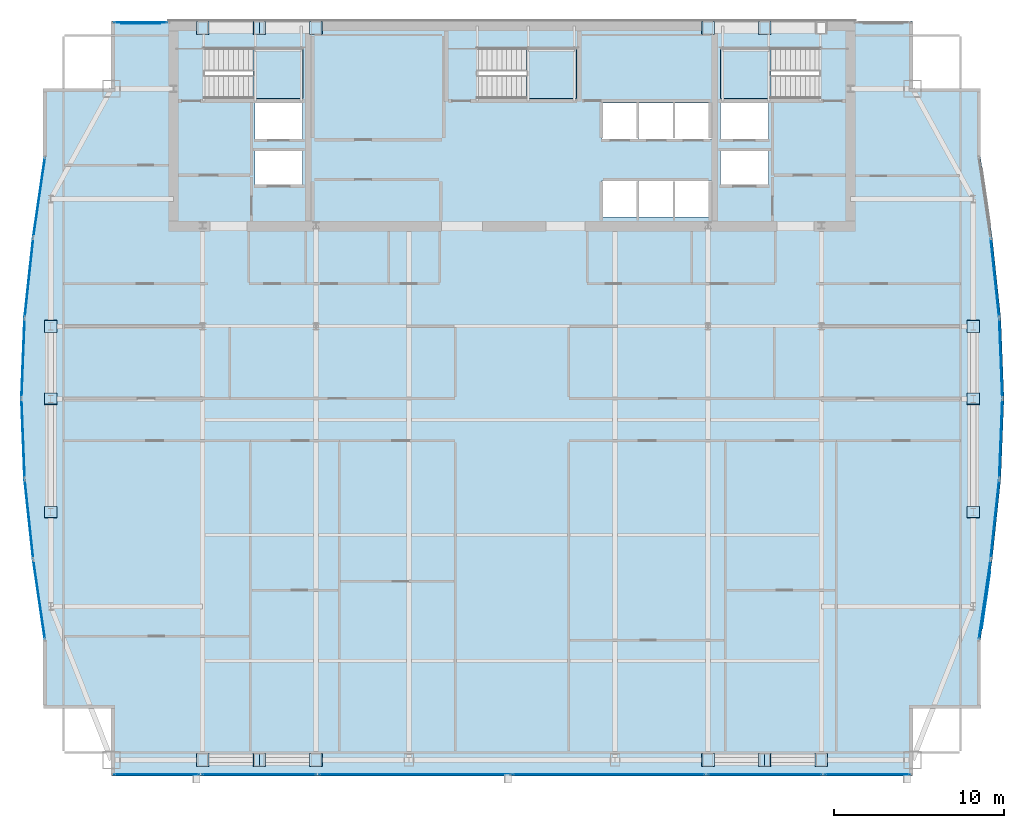
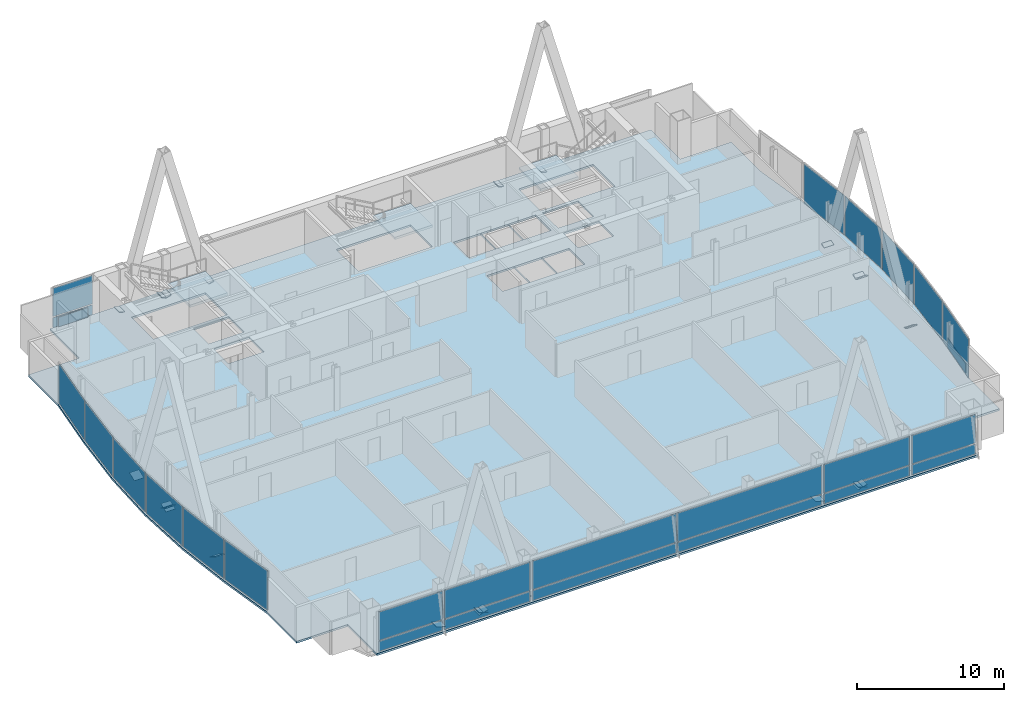
# One storey, part 25 of 31: 49 plates, 4 slabs, 20 elements without a shape of their own.
"""IFC4 building model written with IfcOpenShell, lengths in metres."""

from ifc_helpers import new_model, si_unit, direction, frame, origin, origin_2d, place, context, subcontext, project, spatial, polyline, rectangle, outline, extrude, material, layer, layer_set, type_object, element, aggregate, save


model = new_model("IFC4")

# Units and contexts
model_context = context("Model", 3, precision=1e-05, world=origin(), true_north=direction((0.0, 1.0)))
body_context = subcontext(model_context, "Body", "Model", "MODEL_VIEW")
ifc_project = project(units=[si_unit("LENGTHUNIT", "METRE"), si_unit("AREAUNIT", "SQUARE_METRE"), si_unit("VOLUMEUNIT", "CUBIC_METRE"), si_unit("PLANEANGLEUNIT", "RADIAN"), si_unit("MASSUNIT", "GRAM", prefix="KILO")], contexts=[model_context])

# Site, building, storey
site_placement = place(None, origin())
site = spatial("IfcSite", under=ifc_project, at=site_placement, CompositionType="ELEMENT")
building_placement = place(site_placement, origin())
building = spatial("IfcBuilding", under=site, at=building_placement, Name="Khoronbel Lancet Exchange", CompositionType="ELEMENT")
storey_placement = place(building_placement, frame((0.0, 0.0, 249.800048828125)))
storey = spatial("IfcBuildingStorey", under=building, at=storey_placement, Name="L64", CompositionType="ELEMENT", Elevation=249.800048828125)

# Curtain wall, plate
ifc_material_1 = material(Name="Low-E Solar Control Insulating Glass", Category="glass")
curtain_wall_type_1 = type_object("IfcCurtainWallType", Name="CW-4", PredefinedType="NOTDEFINED", material=ifc_material_1)
curtain_wall_1_placement = place(storey_placement, origin())
curtain_wall_1 = element("IfcCurtainWall", 1, at=curtain_wall_1_placement, inside=storey, type_object=curtain_wall_type_1, Name="Unitised curtain wall CW-L64-E05", PredefinedType="NOTDEFINED")
ifc_material_2 = material(Name="Bronze-Anodised Aluminium 6063-T6", Category="aluminium")
ifc_layer_1 = layer(ifc_material_2, 0.050048828125, Name="Bronze-Anodised Aluminium 6063-T6")
ifc_layer_set_1 = layer_set([ifc_layer_1], Name="Bronze-Anodised Aluminium 6063-T6")
plate_type_1 = type_object("IfcPlateType", Name="PLT-CSP1", PredefinedType="SHEET", material=ifc_layer_set_1)
plate_1_placement = place(storey_placement, frame((7.990234375, 24.333984375, 0.0849609375), z_axis=(0.0, 0.0, 1.0), x_axis=(-0.106507228834, 0.994311928022, 0.0)))
plate_1 = element("IfcPlate", 2, at=plate_1_placement, type_object=plate_type_1, Name="CW4 panel 1.1", PredefinedType="CURTAIN_PANEL", context=body_context, shape_type="SweptSolid", body=[
    extrude(rectangle(XDim=4.62255859375, YDim=0.0380859375, at=origin_2d()), origin(), (0.0, 0.0, 1.0), 3.27001953125),
])
aggregate(curtain_wall_1, [plate_1])

curtain_wall_2_placement = place(storey_placement, origin())
curtain_wall_2 = element("IfcCurtainWall", 3, at=curtain_wall_2_placement, inside=storey, type_object=curtain_wall_type_1, Name="Unitised curtain wall CW-L64-E06", PredefinedType="NOTDEFINED")
plate_2_placement = place(storey_placement, frame((7.64306640625, 29.078369140625, 0.0849609375), z_axis=(0.0, 0.0, 1.0), x_axis=(-0.039161233927, 0.999232904661, 0.0)))
plate_2 = element("IfcPlate", 4, at=plate_2_placement, type_object=plate_type_1, Name="CW4 panel 1.1", PredefinedType="CURTAIN_PANEL", context=body_context, shape_type="SweptSolid", body=[
    extrude(rectangle(XDim=4.596923828125, YDim=0.0380859375, at=origin_2d()), origin(), (0.0, 0.0, 1.0), 3.27001953125),
])
aggregate(curtain_wall_2, [plate_2])

curtain_wall_3_placement = place(storey_placement, origin())
curtain_wall_3 = element("IfcCurtainWall", 5, at=curtain_wall_3_placement, inside=storey, type_object=curtain_wall_type_1, Name="Unitised curtain wall CW-L64-E07", PredefinedType="NOTDEFINED")
plate_3_placement = place(storey_placement, frame((7.64306640625, 33.82177734375, 0.0849609375), z_axis=(0.0, 0.0, 1.0), x_axis=(0.039161233927, 0.999232904661, 0.0)))
plate_3 = element("IfcPlate", 6, at=plate_3_placement, type_object=plate_type_1, Name="CW4 panel 1.1", PredefinedType="CURTAIN_PANEL", context=body_context, shape_type="SweptSolid", body=[
    extrude(rectangle(XDim=4.596923828125, YDim=0.0380859375, at=origin_2d()), origin(), (0.0, 0.0, 1.0), 3.27001953125),
])
aggregate(curtain_wall_3, [plate_3])

curtain_wall_4_placement = place(storey_placement, origin())
curtain_wall_4 = element("IfcCurtainWall", 7, at=curtain_wall_4_placement, inside=storey, type_object=curtain_wall_type_1, Name="Unitised curtain wall CW-L64-E08", PredefinedType="NOTDEFINED")
plate_4_placement = place(storey_placement, frame((7.990234375, 38.566162109375, 0.0849609375), z_axis=(0.0, 0.0, 1.0), x_axis=(0.106507228834, 0.994311928022, 0.0)))
plate_4 = element("IfcPlate", 8, at=plate_4_placement, type_object=plate_type_1, Name="CW4 panel 1.1", PredefinedType="CURTAIN_PANEL", context=body_context, shape_type="SweptSolid", body=[
    extrude(rectangle(XDim=4.62255859375, YDim=0.0380859375, at=origin_2d()), origin(), (0.0, 0.0, 1.0), 3.27001953125),
])
aggregate(curtain_wall_4, [plate_4])

curtain_wall_type_2 = type_object("IfcCurtainWallType", Name="CW-3", PredefinedType="NOTDEFINED", material=ifc_material_1)
curtain_wall_5_placement = place(storey_placement, origin())
curtain_wall_5 = element("IfcCurtainWall", 9, at=curtain_wall_5_placement, inside=storey, type_object=curtain_wall_type_2, Name="Unitised curtain wall CW-L64-NWFLK", PredefinedType="NOTDEFINED")
plate_5_placement = place(storey_placement, frame((14.580078125, 53.550048828125, 0.0498046875), z_axis=(0.0, 0.0, 1.0), x_axis=(-1.0, 0.0, 0.0)))
plate_5 = element("IfcPlate", 10, at=plate_5_placement, type_object=plate_type_1, Name="Insulated bronze spandrel cassette CW-L64-NWFLK", PredefinedType="SHEET", context=body_context, shape_type="SweptSolid", body=[
    extrude(rectangle(XDim=2.2958984375, YDim=0.050048828125, at=origin_2d()), origin(), (0.0, 0.0, 1.0), 0.800048828125),
])

curtain_wall_6_placement = place(storey_placement, origin())
curtain_wall_6 = element("IfcCurtainWall", 11, at=curtain_wall_6_placement, inside=storey, type_object=curtain_wall_type_1, Name="Unitised curtain wall CW-L64-E18", PredefinedType="NOTDEFINED")
plate_6_placement = place(storey_placement, frame((64.90966796875, 38.566162109375, 0.0849609375), z_axis=(0.0, 0.0, 1.0), x_axis=(0.106507228834, -0.994311928022, 0.0)))
plate_6 = element("IfcPlate", 12, at=plate_6_placement, type_object=plate_type_1, Name="CW4 panel 1.1", PredefinedType="CURTAIN_PANEL", context=body_context, shape_type="SweptSolid", body=[
    extrude(rectangle(XDim=4.62255859375, YDim=0.0380859375, at=origin_2d()), origin(), (0.0, 0.0, 1.0), 3.27001953125),
])
aggregate(curtain_wall_6, [plate_6])

curtain_wall_7_placement = place(storey_placement, origin())
curtain_wall_7 = element("IfcCurtainWall", 13, at=curtain_wall_7_placement, inside=storey, type_object=curtain_wall_type_1, Name="Unitised curtain wall CW-L64-E19", PredefinedType="NOTDEFINED")
plate_7_placement = place(storey_placement, frame((65.2568359375, 33.82177734375, 0.0849609375), z_axis=(0.0, 0.0, 1.0), x_axis=(0.039161233927, -0.999232904661, 0.0)))
plate_7 = element("IfcPlate", 14, at=plate_7_placement, type_object=plate_type_1, Name="CW4 panel 1.1", PredefinedType="CURTAIN_PANEL", context=body_context, shape_type="SweptSolid", body=[
    extrude(rectangle(XDim=4.596923828125, YDim=0.0380859375, at=origin_2d()), origin(), (0.0, 0.0, 1.0), 3.27001953125),
])
aggregate(curtain_wall_7, [plate_7])

curtain_wall_8_placement = place(storey_placement, origin())
curtain_wall_8 = element("IfcCurtainWall", 15, at=curtain_wall_8_placement, inside=storey, type_object=curtain_wall_type_1, Name="Unitised curtain wall CW-L64-E20", PredefinedType="NOTDEFINED")
plate_8_placement = place(storey_placement, frame((65.2568359375, 29.078369140625, 0.0849609375), z_axis=(0.0, 0.0, 1.0), x_axis=(-0.039161233927, -0.999232904661, 0.0)))
plate_8 = element("IfcPlate", 16, at=plate_8_placement, type_object=plate_type_1, Name="CW4 panel 1.1", PredefinedType="CURTAIN_PANEL", context=body_context, shape_type="SweptSolid", body=[
    extrude(rectangle(XDim=4.596923828125, YDim=0.0380859375, at=origin_2d()), origin(), (0.0, 0.0, 1.0), 3.27001953125),
])
aggregate(curtain_wall_8, [plate_8])

curtain_wall_9_placement = place(storey_placement, origin())
curtain_wall_9 = element("IfcCurtainWall", 17, at=curtain_wall_9_placement, inside=storey, type_object=curtain_wall_type_1, Name="Unitised curtain wall CW-L64-E21", PredefinedType="NOTDEFINED")
plate_9_placement = place(storey_placement, frame((64.90966796875, 24.333984375, 0.0849609375), z_axis=(0.0, 0.0, 1.0), x_axis=(-0.106507228834, -0.994311928022, 0.0)))
plate_9 = element("IfcPlate", 18, at=plate_9_placement, type_object=plate_type_1, Name="CW4 panel 1.1", PredefinedType="CURTAIN_PANEL", context=body_context, shape_type="SweptSolid", body=[
    extrude(rectangle(XDim=4.62255859375, YDim=0.0380859375, at=origin_2d()), origin(), (0.0, 0.0, 1.0), 3.27001953125),
])
aggregate(curtain_wall_9, [plate_9])

curtain_wall_10_placement = place(storey_placement, origin())
curtain_wall_10 = element("IfcCurtainWall", 19, at=curtain_wall_10_placement, inside=storey, type_object=curtain_wall_type_1, Name="Unitised curtain wall CW-L64-E22", PredefinedType="NOTDEFINED")
plate_10_placement = place(storey_placement, frame((64.3671875, 19.5751953125, 0.0498046875), z_axis=(0.0, 0.0, 1.0), x_axis=(-0.144753463694, -0.989467753264, 0.0)))
plate_10 = element("IfcPlate", 20, at=plate_10_placement, type_object=plate_type_1, Name="Insulated bronze spandrel cassette CW-L64-E22", PredefinedType="SHEET", context=body_context, shape_type="SweptSolid", body=[
    extrude(rectangle(XDim=3.36376953125, YDim=0.050048828125, at=origin_2d()), origin(), (0.0, 0.0, 1.0), 0.800048828125),
])

# Curtain wall, plates
curtain_wall_11_placement = place(storey_placement, origin())
curtain_wall_11 = element("IfcCurtainWall", 21, at=curtain_wall_11_placement, inside=storey, type_object=curtain_wall_type_2, Name="Unitised curtain wall CW-L64-SWB", PredefinedType="NOTDEFINED")
plate_11_placement = place(storey_placement, frame((21.550048828125, 9.2900390625, 0.0849609375), z_axis=(0.0, 0.0, 1.0), x_axis=(1.0, 0.0, 0.0)))
plate_11 = element("IfcPlate", 22, at=plate_11_placement, type_object=plate_type_1, Name="CW3 panel 1.1", PredefinedType="CURTAIN_PANEL", context=body_context, shape_type="SweptSolid", body=[
    extrude(rectangle(XDim=6.72998046875, YDim=0.0380859375, at=origin_2d()), origin(), (0.0, 0.0, 1.0), 0.822509765625),
])
plate_12_placement = place(storey_placement, frame((21.550048828125, 9.2900390625, 0.9921875), z_axis=(0.0, 0.0, 1.0), x_axis=(1.0, 0.0, 0.0)))
plate_12 = element("IfcPlate", 23, at=plate_12_placement, type_object=plate_type_1, Name="CW3 panel 1.2", PredefinedType="CURTAIN_PANEL", context=body_context, shape_type="SweptSolid", body=[
    extrude(rectangle(XDim=6.72998046875, YDim=0.0380859375, at=origin_2d()), origin(), (0.0, 0.0, 1.0), 2.362548828125),
])
aggregate(curtain_wall_11, [plate_11, plate_12])

curtain_wall_12_placement = place(storey_placement, origin())
curtain_wall_12 = element("IfcCurtainWall", 24, at=curtain_wall_12_placement, inside=storey, type_object=curtain_wall_type_2, Name="Unitised curtain wall CW-L64-SEB", PredefinedType="NOTDEFINED")
plate_13_placement = place(storey_placement, frame((51.35009765625, 9.2900390625, 0.0849609375), z_axis=(0.0, 0.0, 1.0), x_axis=(1.0, 0.0, 0.0)))
plate_13 = element("IfcPlate", 25, at=plate_13_placement, type_object=plate_type_1, Name="CW3 panel 1.1", PredefinedType="CURTAIN_PANEL", context=body_context, shape_type="SweptSolid", body=[
    extrude(rectangle(XDim=6.72998046875, YDim=0.0380859375, at=origin_2d()), origin(), (0.0, 0.0, 1.0), 0.822509765625),
])
plate_14_placement = place(storey_placement, frame((51.35009765625, 9.2900390625, 0.9921875), z_axis=(0.0, 0.0, 1.0), x_axis=(1.0, 0.0, 0.0)))
plate_14 = element("IfcPlate", 26, at=plate_14_placement, type_object=plate_type_1, Name="CW3 panel 1.2", PredefinedType="CURTAIN_PANEL", context=body_context, shape_type="SweptSolid", body=[
    extrude(rectangle(XDim=6.72998046875, YDim=0.0380859375, at=origin_2d()), origin(), (0.0, 0.0, 1.0), 2.362548828125),
])
aggregate(curtain_wall_12, [plate_13, plate_14])

# Plate
ifc_layer_2 = layer(ifc_material_1, 0.035888671875, Name="Low-E Solar Control Insulating Glass")
ifc_layer_set_2 = layer_set([ifc_layer_2], Name="Low-E Solar Control Insulating Glass")
plate_type_2 = type_object("IfcPlateType", Name="PLT-CWP1", PredefinedType="CURTAIN_PANEL", material=ifc_layer_set_2)
plate_15_placement = place(storey_placement, frame((14.580078125, 53.610107421875, 0.0849609375), z_axis=(0.0, 0.0, 1.0), x_axis=(-1.0, 0.0, 0.0)))
plate_15 = element("IfcPlate", 27, at=plate_15_placement, type_object=plate_type_2, Name="CW3 panel 1.1", PredefinedType="CURTAIN_PANEL", context=body_context, shape_type="SweptSolid", body=[
    extrude(rectangle(XDim=3.110107421875, YDim=0.0380859375, at=origin_2d()), origin(), (0.0, 0.0, 1.0), 0.822509765625),
])

plate_16_placement = place(storey_placement, frame((14.580078125, 53.610107421875, 0.9921875), z_axis=(0.0, 0.0, 1.0), x_axis=(-1.0, 0.0, 0.0)))
plate_16 = element("IfcPlate", 28, at=plate_16_placement, type_object=plate_type_2, Name="CW3 panel 1.2", PredefinedType="CURTAIN_PANEL", context=body_context, shape_type="SweptSolid", body=[
    extrude(rectangle(XDim=3.110107421875, YDim=0.0380859375, at=origin_2d()), origin(), (0.0, 0.0, 1.0), 2.362548828125),
])

aggregate(curtain_wall_5, [plate_15, plate_16, plate_5])

# Curtain wall, plates
curtain_wall_13_placement = place(storey_placement, origin())
curtain_wall_13 = element("IfcCurtainWall", 29, at=curtain_wall_13_placement, inside=storey, type_object=curtain_wall_type_2, Name="Unitised curtain wall CW-L64-SWV", PredefinedType="NOTDEFINED")
plate_17_placement = place(storey_placement, frame((15.52001953125, 9.2900390625, 0.0849609375), z_axis=(0.0, 0.0, 1.0), x_axis=(1.0, 0.0, 0.0)))
plate_17 = element("IfcPlate", 30, at=plate_17_placement, type_object=plate_type_2, Name="CW3 panel 1.1", PredefinedType="CURTAIN_PANEL", context=body_context, shape_type="SweptSolid", body=[
    extrude(rectangle(XDim=4.989990234375, YDim=0.0380859375, at=origin_2d()), origin(), (0.0, 0.0, 1.0), 0.822509765625),
])
plate_18_placement = place(storey_placement, frame((15.52001953125, 9.2900390625, 0.9921875), z_axis=(0.0, 0.0, 1.0), x_axis=(1.0, 0.0, 0.0)))
plate_18 = element("IfcPlate", 31, at=plate_18_placement, type_object=plate_type_2, Name="CW3 panel 1.2", PredefinedType="CURTAIN_PANEL", context=body_context, shape_type="SweptSolid", body=[
    extrude(rectangle(XDim=4.989990234375, YDim=0.0380859375, at=origin_2d()), origin(), (0.0, 0.0, 1.0), 2.362548828125),
])
aggregate(curtain_wall_13, [plate_17, plate_18])

curtain_wall_14_placement = place(storey_placement, origin())
curtain_wall_14 = element("IfcCurtainWall", 32, at=curtain_wall_14_placement, inside=storey, type_object=curtain_wall_type_2, Name="Unitised curtain wall CW-L64-SCV", PredefinedType="NOTDEFINED")
plate_19_placement = place(storey_placement, frame((30.746337890625, 9.2900390625, 0.0849609375), z_axis=(0.0, 0.0, 1.0), x_axis=(1.0, 0.0, 0.0)))
plate_19 = element("IfcPlate", 33, at=plate_19_placement, type_object=plate_type_2, Name="CW3 panel 1.1", PredefinedType="CURTAIN_PANEL", context=body_context, shape_type="SweptSolid", body=[
    extrude(rectangle(XDim=11.322509765625, YDim=0.0380859375, at=origin_2d()), origin(), (0.0, 0.0, 1.0), 0.822509765625),
])
plate_20_placement = place(storey_placement, frame((30.746337890625, 9.2900390625, 0.9921875), z_axis=(0.0, 0.0, 1.0), x_axis=(1.0, 0.0, 0.0)))
plate_20 = element("IfcPlate", 34, at=plate_20_placement, type_object=plate_type_2, Name="CW3 panel 1.2", PredefinedType="CURTAIN_PANEL", context=body_context, shape_type="SweptSolid", body=[
    extrude(rectangle(XDim=11.322509765625, YDim=0.0380859375, at=origin_2d()), origin(), (0.0, 0.0, 1.0), 2.362548828125),
])
plate_21_placement = place(storey_placement, frame((42.15380859375, 9.2900390625, 0.0849609375), z_axis=(0.0, 0.0, 1.0), x_axis=(1.0, 0.0, 0.0)))
plate_21 = element("IfcPlate", 35, at=plate_21_placement, type_object=plate_type_2, Name="CW3 panel 2.1", PredefinedType="CURTAIN_PANEL", context=body_context, shape_type="SweptSolid", body=[
    extrude(rectangle(XDim=11.322509765625, YDim=0.0380859375, at=origin_2d()), origin(), (0.0, 0.0, 1.0), 0.822509765625),
])
plate_22_placement = place(storey_placement, frame((42.15380859375, 9.2900390625, 0.9921875), z_axis=(0.0, 0.0, 1.0), x_axis=(1.0, 0.0, 0.0)))
plate_22 = element("IfcPlate", 36, at=plate_22_placement, type_object=plate_type_2, Name="CW3 panel 2.2", PredefinedType="CURTAIN_PANEL", context=body_context, shape_type="SweptSolid", body=[
    extrude(rectangle(XDim=11.322509765625, YDim=0.0380859375, at=origin_2d()), origin(), (0.0, 0.0, 1.0), 2.362548828125),
])
aggregate(curtain_wall_14, [plate_19, plate_20, plate_21, plate_22])

curtain_wall_15_placement = place(storey_placement, origin())
curtain_wall_15 = element("IfcCurtainWall", 37, at=curtain_wall_15_placement, inside=storey, type_object=curtain_wall_type_2, Name="Unitised curtain wall CW-L64-SEV", PredefinedType="NOTDEFINED")
plate_23_placement = place(storey_placement, frame((57.3798828125, 9.2900390625, 0.0849609375), z_axis=(0.0, 0.0, 1.0), x_axis=(1.0, 0.0, 0.0)))
plate_23 = element("IfcPlate", 38, at=plate_23_placement, type_object=plate_type_2, Name="CW3 panel 1.1", PredefinedType="CURTAIN_PANEL", context=body_context, shape_type="SweptSolid", body=[
    extrude(rectangle(XDim=4.989990234375, YDim=0.0380859375, at=origin_2d()), origin(), (0.0, 0.0, 1.0), 0.822509765625),
])
plate_24_placement = place(storey_placement, frame((57.3798828125, 9.2900390625, 0.9921875), z_axis=(0.0, 0.0, 1.0), x_axis=(1.0, 0.0, 0.0)))
plate_24 = element("IfcPlate", 39, at=plate_24_placement, type_object=plate_type_2, Name="CW3 panel 1.2", PredefinedType="CURTAIN_PANEL", context=body_context, shape_type="SweptSolid", body=[
    extrude(rectangle(XDim=4.989990234375, YDim=0.0380859375, at=origin_2d()), origin(), (0.0, 0.0, 1.0), 2.362548828125),
])
aggregate(curtain_wall_15, [plate_23, plate_24])

# Curtain wall, plate
curtain_wall_16_placement = place(storey_placement, origin())
curtain_wall_16 = element("IfcCurtainWall", 40, at=curtain_wall_16_placement, inside=storey, type_object=curtain_wall_type_1, Name="Unitised curtain wall CW-L64-E04", PredefinedType="NOTDEFINED")
ifc_material_3 = material(Name="Ceramic-Fritted Laminated Insulating Glass", Category="glass")
ifc_layer_3 = layer(ifc_material_3, 0.0419921875, Name="Ceramic-Fritted Laminated Insulating Glass")
ifc_layer_set_3 = layer_set([ifc_layer_3], Name="Ceramic-Fritted Laminated Insulating Glass")
plate_type_3 = type_object("IfcPlateType", Name="PLT-CWP2", PredefinedType="CURTAIN_PANEL", material=ifc_layer_set_3)
plate_25_placement = place(storey_placement, frame((8.59228515625, 19.583984375, 0.0849609375), z_axis=(0.0, 0.0, 1.0), x_axis=(-0.144753463694, 0.989467753264, 0.0)))
plate_25 = element("IfcPlate", 41, at=plate_25_placement, type_object=plate_type_3, Name="CW4 panel 1.1", PredefinedType="CURTAIN_PANEL", context=body_context, shape_type="SweptSolid", body=[
    extrude(rectangle(XDim=4.655517578125, YDim=0.0380859375, at=origin_2d()), origin(), (0.0, 0.0, 1.0), 3.27001953125),
])
aggregate(curtain_wall_16, [plate_25])

curtain_wall_17_placement = place(storey_placement, origin())
curtain_wall_17 = element("IfcCurtainWall", 42, at=curtain_wall_17_placement, inside=storey, type_object=curtain_wall_type_1, Name="Unitised curtain wall CW-L64-E09", PredefinedType="NOTDEFINED")
plate_26_placement = place(storey_placement, frame((8.59228515625, 43.316162109375, 0.0849609375), z_axis=(0.0, 0.0, 1.0), x_axis=(0.144753463694, 0.989467753264, 0.0)))
plate_26 = element("IfcPlate", 43, at=plate_26_placement, type_object=plate_type_3, Name="CW4 panel 1.1", PredefinedType="CURTAIN_PANEL", context=body_context, shape_type="SweptSolid", body=[
    extrude(rectangle(XDim=4.655517578125, YDim=0.0380859375, at=origin_2d()), origin(), (0.0, 0.0, 1.0), 3.27001953125),
])
aggregate(curtain_wall_17, [plate_26])

# Plate
plate_27_placement = place(storey_placement, frame((64.307861328125, 19.583984375, 0.0849609375), z_axis=(0.0, 0.0, 1.0), x_axis=(-0.144753463694, -0.989467753264, 0.0)))
plate_27 = element("IfcPlate", 44, at=plate_27_placement, type_object=plate_type_3, Name="CW4 panel 1.1", PredefinedType="CURTAIN_PANEL", context=body_context, shape_type="SweptSolid", body=[
    extrude(rectangle(XDim=4.655517578125, YDim=0.0380859375, at=origin_2d()), origin(), (0.0, 0.0, 1.0), 3.27001953125),
])

aggregate(curtain_wall_10, [plate_27, plate_10])

# Plates
ifc_material_4 = material(Name="Steel S460", Category="steel")
ifc_layer_4 = layer(ifc_material_4, 0.044921875, Name="Steel S460")
ifc_layer_set_4 = layer_set([ifc_layer_4], Name="Steel S460")
plate_type_4 = type_object("IfcPlateType", Name="PLT-ECP1", PredefinedType="USERDEFINED", material=ifc_layer_set_4)
for number, where, z_axis, x_axis, name in (
    (45, (21.935302734375, 9.77001953125, -0.080810546875), (0.295236958021, 0.0, 0.955424062193), (0.0, 1.0, 0.0), "Hollow end cap plate PLT-CAP-MEM-MB-T21-S-W-L-1"),
    (46, (21.189697265625, 10.530029296875, -0.080810546875), (-0.295236958021, 0.0, 0.955424062193), (0.0, -1.0, 0.0), "Hollow end cap plate PLT-CAP-MEM-MB-T21-S-W-R-1"),
    (47, (51.710205078125, 9.77001953125, -0.080810546875), (0.295236958021, 0.0, 0.955424062193), (0.0, 1.0, 0.0), "Hollow end cap plate PLT-CAP-MEM-MB-T21-S-E-L-1"),
):
    element("IfcPlate", number, at=place(storey_placement, frame(where, z_axis=z_axis, x_axis=x_axis)), inside=storey, type_object=plate_type_4, Name=name, ObjectType="STIFFENER_PLATE", PredefinedType="USERDEFINED", context=body_context, shape_type="SweptSolid", body=[
        extrude(outline(polyline([(0.0, 0.0), (0.760009765625, 0.0), (0.760009765625, 0.760009765625), (0.0, 0.760009765625), (0.0, 0.0)])), origin(), (0.0, 0.0, -1.0), 0.044921875),
    ])
plate_28_placement = place(storey_placement, frame((50.964599609375, 10.530029296875, -0.080810546875), z_axis=(-0.295146364908, 0.0, 0.955452051796), x_axis=(0.0, -1.0, 0.0)))
element("IfcPlate", 48, at=plate_28_placement, inside=storey, type_object=plate_type_4, Name="Hollow end cap plate PLT-CAP-MEM-MB-T21-S-E-R-1", ObjectType="STIFFENER_PLATE", PredefinedType="USERDEFINED", context=body_context, shape_type="SweptSolid", body=[
    extrude(outline(polyline([(0.0, 0.0), (0.760009765625, 0.0), (0.760009765625, 0.76025390625), (0.0, 0.76025390625), (0.0, 0.0)])), origin(), (0.0, 0.0, -1.0), 0.044921875),
])
for number, where, z_axis, x_axis, name in (
    (49, (21.935302734375, 52.89990234375, -0.080810546875), (0.295236958021, 0.0, 0.955424062193), (0.0, 1.0, 0.0), "Hollow end cap plate PLT-CAP-MEM-MB-T21-N-W-L-1"),
    (50, (21.189697265625, 53.659912109375, -0.080810546875), (-0.295236958021, 0.0, 0.955424062193), (0.0, -1.0, 0.0), "Hollow end cap plate PLT-CAP-MEM-MB-T21-N-W-R-1"),
    (51, (51.710205078125, 52.89990234375, -0.080810546875), (0.295236958021, 0.0, 0.955424062193), (0.0, 1.0, 0.0), "Hollow end cap plate PLT-CAP-MEM-MB-T21-N-E-L-1"),
    (52, (9.64990234375, 31.765625, -0.171875), (0.0, 0.525834774126, 0.850586732979), (-1.0, 0.0, 0.0), "Hollow end cap plate PLT-CAP-MEM-MB-T21-W-P-L-1"),
):
    element("IfcPlate", number, at=place(storey_placement, frame(where, z_axis=z_axis, x_axis=x_axis)), inside=storey, type_object=plate_type_4, Name=name, ObjectType="STIFFENER_PLATE", PredefinedType="USERDEFINED", context=body_context, shape_type="SweptSolid", body=[
        extrude(outline(polyline([(0.0, 0.0), (0.760009765625, 0.0), (0.760009765625, 0.760009765625), (0.0, 0.760009765625), (0.0, 0.0)])), origin(), (0.0, 0.0, -1.0), 0.044921875),
    ])
plate_29_placement = place(storey_placement, frame((8.889892578125, 31.0595703125, -0.109130859375), z_axis=(0.0, -0.367897979872, 0.92986616048), x_axis=(1.0, 0.0, 0.0)))
element("IfcPlate", 53, at=plate_29_placement, inside=storey, type_object=plate_type_4, Name="Hollow end cap plate PLT-CAP-MEM-MB-T21-W-P-R-1", ObjectType="STIFFENER_PLATE", PredefinedType="USERDEFINED", context=body_context, shape_type="SweptSolid", body=[
    extrude(outline(polyline([(0.0, 0.0), (0.760009765625, 0.0), (0.760009765625, 0.759765625), (0.0, 0.759765625), (0.0, 0.0)])), origin(), (0.0, 0.0, -1.0), 0.044921875),
])
plate_30_placement = place(storey_placement, frame((64.010009765625, 31.765625, -0.171875), z_axis=(0.0, 0.525834774126, 0.850586732979), x_axis=(-1.0, 0.0, 0.0)))
element("IfcPlate", 54, at=plate_30_placement, inside=storey, type_object=plate_type_4, Name="Hollow end cap plate PLT-CAP-MEM-MB-T21-E-P-L-1", ObjectType="STIFFENER_PLATE", PredefinedType="USERDEFINED", context=body_context, shape_type="SweptSolid", body=[
    extrude(outline(polyline([(0.0, 0.0), (0.760009765625, 0.0), (0.760009765625, 0.760009765625), (0.0, 0.760009765625), (0.0, 0.0)])), origin(), (0.0, 0.0, -1.0), 0.044921875),
])
plate_31_placement = place(storey_placement, frame((63.25, 31.0595703125, -0.109130859375), z_axis=(0.0, -0.367897979872, 0.92986616048), x_axis=(1.0, 0.0, 0.0)))
element("IfcPlate", 55, at=plate_31_placement, inside=storey, type_object=plate_type_4, Name="Hollow end cap plate PLT-CAP-MEM-MB-T21-E-P-R-1", ObjectType="STIFFENER_PLATE", PredefinedType="USERDEFINED", context=body_context, shape_type="SweptSolid", body=[
    extrude(outline(polyline([(0.0, 0.0), (0.760009765625, 0.0), (0.760009765625, 0.759765625), (0.0, 0.759765625), (0.0, 0.0)])), origin(), (0.0, 0.0, -1.0), 0.044921875),
])
for number, where, z_axis, x_axis, name in (
    (56, (18.59423828125, 9.77001953125, -0.09033203125), (0.267925524584, 0.0, 0.963439626171), (0.0, 1.0, 0.0), "Hollow end cap plate PLT-CAP-MEM-MB-T22-S-W-L-0"),
    (57, (24.53076171875, 10.530029296875, -0.09033203125), (-0.267925524584, 0.0, 0.963439626171), (0.0, -1.0, 0.0), "Hollow end cap plate PLT-CAP-MEM-MB-T22-S-W-R-0"),
    (58, (48.369384765625, 9.77001953125, -0.09033203125), (0.267925524584, 0.0, 0.963439626171), (0.0, 1.0, 0.0), "Hollow end cap plate PLT-CAP-MEM-MB-T22-S-E-L-0"),
    (59, (54.3056640625, 10.530029296875, -0.09033203125), (-0.267925524584, 0.0, 0.963439626171), (0.0, -1.0, 0.0), "Hollow end cap plate PLT-CAP-MEM-MB-T22-S-E-R-0"),
    (60, (18.59423828125, 52.89990234375, -0.09033203125), (0.267925524584, 0.0, 0.963439626171), (0.0, 1.0, 0.0), "Hollow end cap plate PLT-CAP-MEM-MB-T22-N-W-L-0"),
    (61, (24.53076171875, 53.659912109375, -0.09033203125), (-0.267925524584, 0.0, 0.963439626171), (0.0, -1.0, 0.0), "Hollow end cap plate PLT-CAP-MEM-MB-T22-N-W-R-0"),
    (62, (48.369384765625, 52.89990234375, -0.09033203125), (0.267925524584, 0.0, 0.963439626171), (0.0, 1.0, 0.0), "Hollow end cap plate PLT-CAP-MEM-MB-T22-N-E-L-0"),
):
    element("IfcPlate", number, at=place(storey_placement, frame(where, z_axis=z_axis, x_axis=x_axis)), inside=storey, type_object=plate_type_4, Name=name, ObjectType="STIFFENER_PLATE", PredefinedType="USERDEFINED", context=body_context, shape_type="SweptSolid", body=[
        extrude(outline(polyline([(0.0, 0.0), (0.760009765625, 0.0), (0.760009765625, 0.760009765625), (0.0, 0.760009765625), (0.0, 0.0)])), origin(), (0.0, 0.0, -1.0), 0.044921875),
    ])
plate_32_placement = place(storey_placement, frame((9.64990234375, 25.087890625, -0.17431640625), z_axis=(0.0, 0.486106606688, 0.873899517642), x_axis=(-1.0, 0.0, 0.0)))
element("IfcPlate", 63, at=plate_32_placement, inside=storey, type_object=plate_type_4, Name="Hollow end cap plate PLT-CAP-MEM-MB-T22-W-P-L-0", ObjectType="STIFFENER_PLATE", PredefinedType="USERDEFINED", context=body_context, shape_type="SweptSolid", body=[
    extrude(outline(polyline([(0.0, 0.0), (0.760009765625, 0.0), (0.760009765625, 0.759765625), (0.0, 0.759765625), (0.0, 0.0)])), origin(), (0.0, 0.0, -1.0), 0.044921875),
])
plate_33_placement = place(storey_placement, frame((8.889892578125, 35.337890625, -0.1162109375), z_axis=(0.0, -0.335339161529, 0.942097471998), x_axis=(1.0, 0.0, 0.0)))
element("IfcPlate", 64, at=plate_33_placement, inside=storey, type_object=plate_type_4, Name="Hollow end cap plate PLT-CAP-MEM-MB-T22-W-P-R-0", ObjectType="STIFFENER_PLATE", PredefinedType="USERDEFINED", context=body_context, shape_type="SweptSolid", body=[
    extrude(outline(polyline([(0.0, 0.0), (0.760009765625, 0.0), (0.760009765625, 0.760009765625), (0.0, 0.760009765625), (0.0, 0.0)])), origin(), (0.0, 0.0, -1.0), 0.044921875),
])
plate_34_placement = place(storey_placement, frame((64.010009765625, 25.087890625, -0.17431640625), z_axis=(0.0, 0.486106606688, 0.873899517642), x_axis=(-1.0, 0.0, 0.0)))
element("IfcPlate", 65, at=plate_34_placement, inside=storey, type_object=plate_type_4, Name="Hollow end cap plate PLT-CAP-MEM-MB-T22-E-P-L-0", ObjectType="STIFFENER_PLATE", PredefinedType="USERDEFINED", context=body_context, shape_type="SweptSolid", body=[
    extrude(outline(polyline([(0.0, 0.0), (0.760009765625, 0.0), (0.760009765625, 0.759765625), (0.0, 0.759765625), (0.0, 0.0)])), origin(), (0.0, 0.0, -1.0), 0.044921875),
])
plate_35_placement = place(storey_placement, frame((63.25, 35.337890625, -0.1162109375), z_axis=(0.0, -0.335339161529, 0.942097471998), x_axis=(1.0, 0.0, 0.0)))
element("IfcPlate", 66, at=plate_35_placement, inside=storey, type_object=plate_type_4, Name="Hollow end cap plate PLT-CAP-MEM-MB-T22-E-P-R-0", ObjectType="STIFFENER_PLATE", PredefinedType="USERDEFINED", context=body_context, shape_type="SweptSolid", body=[
    extrude(outline(polyline([(0.0, 0.0), (0.760009765625, 0.0), (0.760009765625, 0.760009765625), (0.0, 0.760009765625), (0.0, 0.0)])), origin(), (0.0, 0.0, -1.0), 0.044921875),
])

# Slab
ifc_material_5 = material(Name="Concrete C40/50", Category="concrete")
ifc_layer_5 = layer(ifc_material_5, 0.159912109375, Name="Concrete C40/50")
ifc_layer_set_5 = layer_set([ifc_layer_5], Name="Concrete C40/50")
slab_type_1 = type_object("IfcSlabType", Name="SL-FL160", PredefinedType="FLOOR", material=ifc_layer_set_5)
slab_1_placement = place(storey_placement, frame((0.0, 0.0, -0.16015625)))
element("IfcSlab", 67, at=slab_1_placement, inside=storey, type_object=slab_type_1, Name="Level L64 composite structural floor slab", PredefinedType="FLOOR", context=body_context, shape_type="SweptSolid", body=[
    extrude(outline(polyline([(12.85009765625, 9.199951171875), (60.050048828125, 9.199951171875), (60.050048828125, 13.199951171875), (64.050048828125, 13.199951171875), (64.050048828125, 17.199951171875), (64.744873046875, 21.949951171875), (65.253662109375, 26.699951171875), (65.43994140625, 31.449951171875), (65.253662109375, 36.199951171875), (64.744873046875, 40.949951171875), (64.050048828125, 45.699951171875), (64.050048828125, 49.699951171875), (60.050048828125, 49.699951171875), (60.050048828125, 53.699951171875), (12.85009765625, 53.699951171875), (12.85009765625, 49.699951171875), (8.85009765625, 49.699951171875), (8.85009765625, 45.699951171875), (8.155029296875, 40.949951171875), (7.646240234375, 36.199951171875), (7.460205078125, 31.449951171875), (7.646240234375, 26.699951171875), (8.155029296875, 21.949951171875), (8.85009765625, 17.199951171875), (8.85009765625, 13.199951171875), (12.85009765625, 13.199951171875), (12.85009765625, 9.199951171875)]), holes=[polyline([(18.324951171875, 49.1201171875), (24.14990234375, 49.1201171875), (24.14990234375, 52.10009765625), (18.324951171875, 52.10009765625), (18.324951171875, 49.1201171875)]), polyline([(48.75, 49.1201171875), (54.574951171875, 49.1201171875), (54.574951171875, 52.10009765625), (48.75, 52.10009765625), (48.75, 49.1201171875)]), polyline([(34.425048828125, 49.1201171875), (40.25, 49.1201171875), (40.25, 52.10009765625), (34.425048828125, 52.10009765625), (34.425048828125, 49.1201171875)]), polyline([(41.739990234375, 46.75), (43.8798828125, 46.75), (43.8798828125, 48.85009765625), (41.739990234375, 48.85009765625), (41.739990234375, 46.75)]), polyline([(43.89990234375, 46.75), (46.0400390625, 46.75), (46.0400390625, 48.85009765625), (43.89990234375, 48.85009765625), (43.89990234375, 46.75)]), polyline([(46.06005859375, 46.75), (48.199951171875, 46.75), (48.199951171875, 48.85009765625), (46.06005859375, 48.85009765625), (46.06005859375, 46.75)]), polyline([(41.739990234375, 42.14990234375), (43.8798828125, 42.14990234375), (43.8798828125, 44.300048828125), (41.739990234375, 44.300048828125), (41.739990234375, 42.14990234375)]), polyline([(43.89990234375, 42.14990234375), (46.0400390625, 42.14990234375), (46.0400390625, 44.300048828125), (43.89990234375, 44.300048828125), (43.89990234375, 42.14990234375)]), polyline([(46.06005859375, 42.14990234375), (48.199951171875, 42.14990234375), (48.199951171875, 44.300048828125), (46.06005859375, 44.300048828125), (46.06005859375, 42.14990234375)]), polyline([(21.300048828125, 46.75), (24.10009765625, 46.75), (24.10009765625, 48.85009765625), (21.300048828125, 48.85009765625), (21.300048828125, 46.75)]), polyline([(48.75, 46.75), (51.550048828125, 46.75), (51.550048828125, 48.85009765625), (48.75, 48.85009765625), (48.75, 46.75)]), polyline([(21.300048828125, 44.050048828125), (24.10009765625, 44.050048828125), (24.10009765625, 46.050048828125), (21.300048828125, 46.050048828125), (21.300048828125, 44.050048828125)]), polyline([(48.75, 44.050048828125), (51.550048828125, 44.050048828125), (51.550048828125, 46.050048828125), (48.75, 46.050048828125), (48.75, 44.050048828125)])]), origin(), (0.0, 0.0, 1.0), 0.16015625),
])

# Stair, slab
stair_type = type_object("IfcStairType", Name="STR-CORE150", PredefinedType="HALF_TURN_STAIR", material=ifc_material_5)
stair_1_placement = place(storey_placement, origin())
stair_1 = element("IfcStair", 68, at=stair_1_placement, inside=storey, type_object=stair_type, Name="L64 Protected Exit Stair ST1", PredefinedType="HALF_TURN_STAIR")
ifc_layer_6 = layer(ifc_material_5, 0.199951171875, Name="Concrete C40/50")
ifc_layer_set_6 = layer_set([ifc_layer_6], Name="Concrete C40/50")
slab_type_2 = type_object("IfcSlabType", Name="SL-LND180", PredefinedType="LANDING", material=ifc_layer_set_6)
slab_2_placement = place(storey_placement, frame((0.0, 0.0, 1.599853515625)))
slab_2 = element("IfcSlab", 69, at=slab_2_placement, type_object=slab_type_2, Name="ST1 landing 1", PredefinedType="LANDING", context=body_context, shape_type="SweptSolid", body=[
    extrude(outline(polyline([(21.199951171875, 49.1201171875), (24.14990234375, 49.1201171875), (24.14990234375, 52.10009765625), (21.199951171875, 52.10009765625), (21.199951171875, 49.1201171875)])), origin(), (0.0, 0.0, 1.0), 0.2001953125),
])
aggregate(stair_1, [slab_2])

stair_2_placement = place(storey_placement, origin())
stair_2 = element("IfcStair", 70, at=stair_2_placement, inside=storey, type_object=stair_type, Name="L64 Protected Exit Stair ST2", PredefinedType="HALF_TURN_STAIR")
slab_3_placement = place(storey_placement, frame((0.0, 0.0, 1.599853515625)))
slab_3 = element("IfcSlab", 71, at=slab_3_placement, type_object=slab_type_2, Name="ST2 landing 1", PredefinedType="LANDING", context=body_context, shape_type="SweptSolid", body=[
    extrude(outline(polyline([(51.699951171875, 52.10009765625), (48.75, 52.10009765625), (48.75, 49.1201171875), (51.699951171875, 49.1201171875), (51.699951171875, 52.10009765625)])), origin(), (0.0, 0.0, 1.0), 0.2001953125),
])
aggregate(stair_2, [slab_3])

stair_3_placement = place(storey_placement, origin())
stair_3 = element("IfcStair", 72, at=stair_3_placement, inside=storey, type_object=stair_type, Name="L64 Protected Exit Stair ST3", PredefinedType="HALF_TURN_STAIR")
slab_4_placement = place(storey_placement, frame((0.0, 0.0, 1.599853515625)))
slab_4 = element("IfcSlab", 73, at=slab_4_placement, type_object=slab_type_2, Name="ST3 landing 1", PredefinedType="LANDING", context=body_context, shape_type="SweptSolid", body=[
    extrude(outline(polyline([(37.300048828125, 49.1201171875), (40.25, 49.1201171875), (40.25, 52.10009765625), (37.300048828125, 52.10009765625), (37.300048828125, 49.1201171875)])), origin(), (0.0, 0.0, 1.0), 0.2001953125),
])
aggregate(stair_3, [slab_4])

save(model, "model.ifc")
